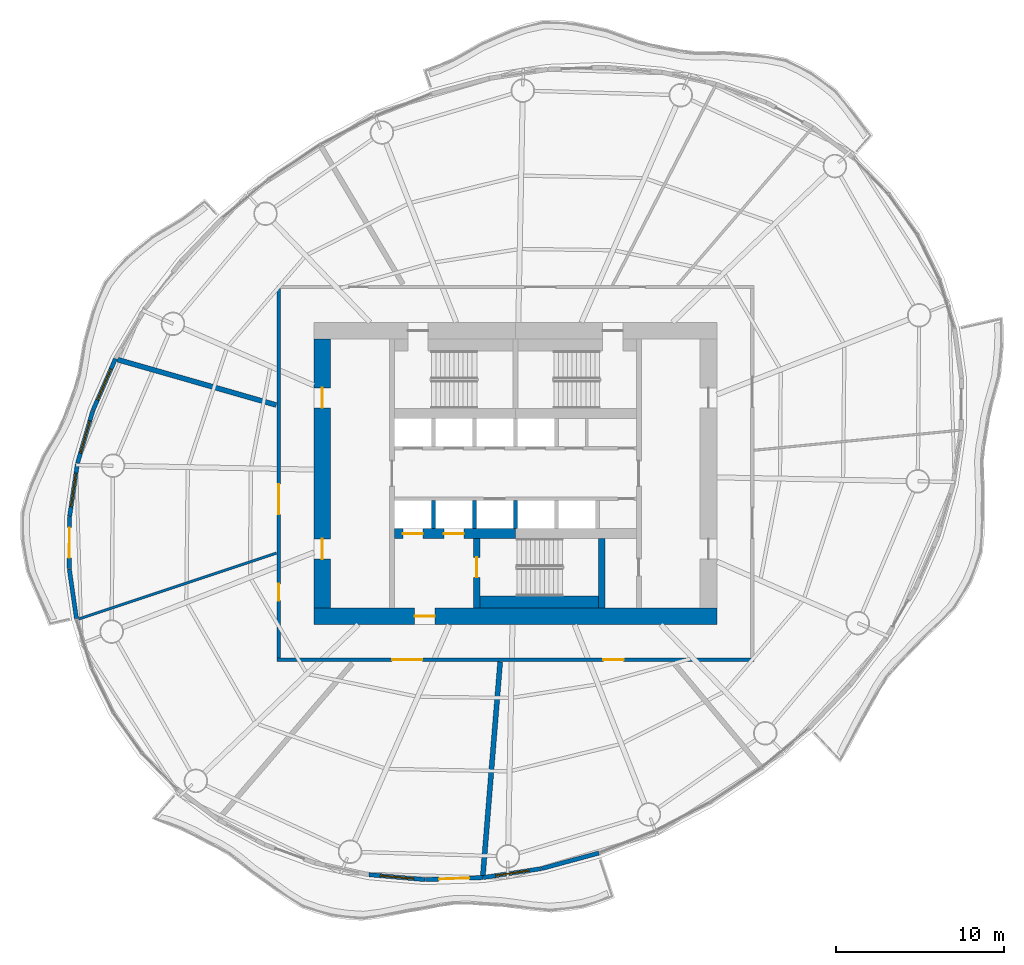
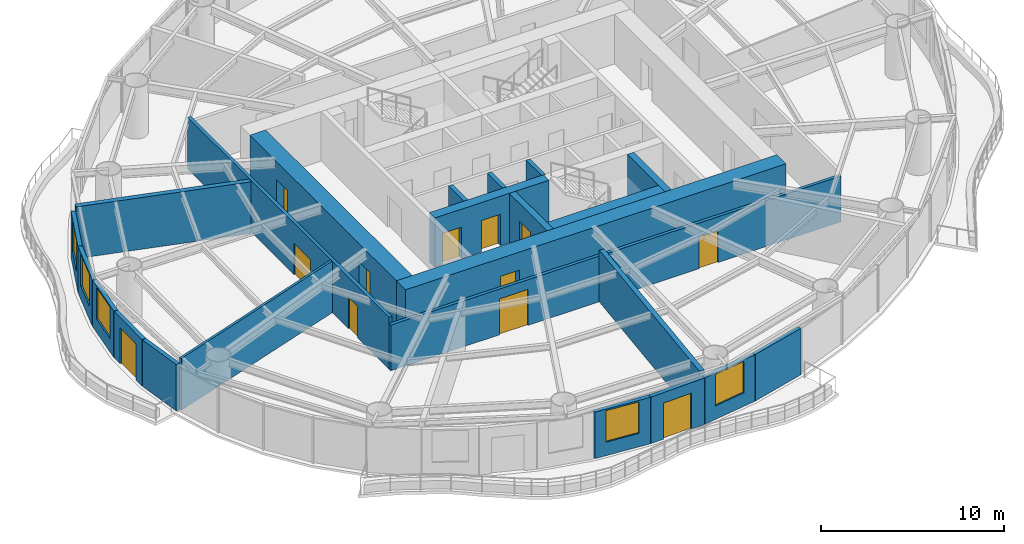
# One storey, part 8 of 14: 23 walls, 12 doors, 5 windows, 17 openings.
"""IFC4 building model written with IfcOpenShell, lengths in metres."""

from ifc_helpers import new_model, si_unit, direction, frame, frame_2d, origin, place, context, subcontext, project, spatial, rectangle, extrude, material, layer, layer_set, type_object, element, fill, save


model = new_model("IFC4")

# Units and contexts
model_context = context("Model", 3, precision=1e-05, world=origin(), true_north=direction((0.0, 1.0)))
body_context = subcontext(model_context, "Body", "Model", "MODEL_VIEW")
ifc_project = project(units=[si_unit("LENGTHUNIT", "METRE"), si_unit("AREAUNIT", "SQUARE_METRE"), si_unit("VOLUMEUNIT", "CUBIC_METRE"), si_unit("PLANEANGLEUNIT", "RADIAN"), si_unit("MASSUNIT", "GRAM", prefix="KILO")], contexts=[model_context])

# Site, building, storey
site_placement = place(None, origin())
site = spatial("IfcSite", under=ifc_project, at=site_placement, CompositionType="ELEMENT")
building_placement = place(site_placement, origin())
building = spatial("IfcBuilding", under=site, at=building_placement, Name="Vermilion Reach Broadcast Tower", CompositionType="ELEMENT")
storey_placement = place(building_placement, frame((0.0, 0.0, 157.800048828125)))
storey = spatial("IfcBuildingStorey", under=building, at=storey_placement, Name="L37", CompositionType="ELEMENT", Elevation=157.800048828125)

# Wall, opening, door
ifc_material_1 = material(Name="Concrete C70", Category="concrete")
ifc_layer_1 = layer(ifc_material_1, 0.39990234375)
ifc_layer_set_1 = layer_set([ifc_layer_1], Name="Core inner wall 400 mm Concrete C70")
wall_type_1 = type_object("IfcWallType", Name="Core inner wall 400 mm Concrete C70", PredefinedType="SHEAR", material=ifc_layer_set_1)
wall_1_placement = place(storey_placement, frame((-8.300048828125, -3.8798828125, 0.0), z_axis=(0.0, 0.0, 1.0), x_axis=(0.0, -1.0, 0.0)))
wall_1 = element("IfcWall", 1, at=wall_1_placement, inside=storey, type_object=wall_type_1, Name="L37 core wall wa", PredefinedType="SHEAR", context=body_context, shape_type="SweptSolid", body=[
    extrude(rectangle(XDim=4.1201171875, YDim=0.39990234375, at=frame_2d((2.06005859375, 0.0))), origin(), (0.0, 0.0, 1.0), 3.300048828125),
])
opening_1_placement = place(wall_1_placement, frame((1.110107421875, 0.0, 0.0)))
opening_1 = element("IfcOpeningElement", 2, at=opening_1_placement, cuts=wall_1, Name="Opening D01", PredefinedType="OPENING", context=body_context, shape_type="SweptSolid", body=[
    extrude(rectangle(XDim=1.199951171875, YDim=2.10009765625, at=frame_2d((0.60009765625, 1.050048828125))), frame((0.0, 0.2099609375, 0.0), z_axis=(0.0, -1.0, 0.0), x_axis=(1.0, 0.0, 0.0)), (0.0, 0.0, 1.0), 0.419921875),
])
ifc_material_2 = material(Name="Painted steel fire door", Category="steel")
door_type_1 = type_object("IfcDoorType", Name="Stair door 1200 x 2100", OperationType="DOUBLE_DOOR_SINGLE_SWING", PredefinedType="NOTDEFINED", material=ifc_material_2)
door_1_placement = place(opening_1_placement, origin())
door_1 = element("IfcDoor", 3, at=door_1_placement, inside=storey, type_object=door_type_1, Name="L37 stair door ST3", OperationType="DOUBLE_DOOR_SINGLE_SWING", OverallHeight=2.10009765625, OverallWidth=1.199951171875, PredefinedType="NOTDEFINED", context=body_context, shape_type="SweptSolid", body=[
    extrude(rectangle(XDim=1.199951171875, YDim=2.10009765625, at=frame_2d((0.60009765625, 1.050048828125))), frame((0.0, 0.02490234375, 0.0), z_axis=(0.0, -1.0, 0.0), x_axis=(1.0, 0.0, 0.0)), (0.0, 0.0, 1.0), 0.050048828125),
])
fill(opening_1, door_1)

# Wall
wall_2_placement = place(storey_placement, frame((-0.85009765625, -3.8798828125, 0.0), z_axis=(0.0, 0.0, 1.0), x_axis=(0.0, -1.0, 0.0)))
element("IfcWall", 4, at=wall_2_placement, inside=storey, type_object=wall_type_1, Name="L37 core wall wb", PredefinedType="SHEAR", context=body_context, shape_type="SweptSolid", body=[
    extrude(rectangle(XDim=4.1201171875, YDim=0.39990234375, at=frame_2d((2.06005859375, 0.0))), origin(), (0.0, 0.0, 1.0), 3.300048828125),
])

# Wall, openings, doors
ifc_material_3 = material(Name="Concrete C70", Category="concrete")
ifc_layer_2 = layer(ifc_material_3, 0.60009765625)
ifc_layer_set_2 = layer_set([ifc_layer_2], Name="Core inner wall 600 mm Concrete C70")
wall_type_2 = type_object("IfcWallType", Name="Core inner wall 600 mm Concrete C70", PredefinedType="SHEAR", material=ifc_layer_set_2)
wall_3_placement = place(storey_placement, frame((-13.199951171875, -3.580078125, 0.0), z_axis=(0.0, 0.0, 1.0), x_axis=(1.0, 0.0, 0.0)))
wall_3 = element("IfcWall", 5, at=wall_3_placement, inside=storey, type_object=wall_type_2, Name="L37 core wall wisW", PredefinedType="SHEAR", context=body_context, shape_type="SweptSolid", body=[
    extrude(rectangle(XDim=7.199951171875, YDim=0.60009765625, at=frame_2d((3.60009765625, 0.0))), origin(), (0.0, 0.0, 1.0), 3.300048828125),
])
opening_2_placement = place(wall_3_placement, frame((0.495849609375, 0.0, 0.0)))
opening_2 = element("IfcOpeningElement", 6, at=opening_2_placement, cuts=wall_3, Name="Opening LD1", PredefinedType="OPENING", context=body_context, shape_type="SweptSolid", body=[
    extrude(rectangle(XDim=1.199951171875, YDim=2.10009765625, at=frame_2d((0.60009765625, 1.050048828125))), frame((0.0, 0.31005859375, 0.0), z_axis=(0.0, -1.0, 0.0), x_axis=(1.0, 0.0, 0.0)), (0.0, 0.0, 1.0), 0.6201171875),
])
opening_3_placement = place(wall_3_placement, frame((2.9375, 0.0, 0.0)))
opening_3 = element("IfcOpeningElement", 7, at=opening_3_placement, cuts=wall_3, Name="Opening LD1", PredefinedType="OPENING", context=body_context, shape_type="SweptSolid", body=[
    extrude(rectangle(XDim=1.199951171875, YDim=2.10009765625, at=frame_2d((0.60009765625, 1.050048828125))), frame((0.0, 0.31005859375, 0.0), z_axis=(0.0, -1.0, 0.0), x_axis=(1.0, 0.0, 0.0)), (0.0, 0.0, 1.0), 0.6201171875),
])
ifc_material_4 = material(Name="Stainless steel", Category="steel")
door_type_2 = type_object("IfcDoorType", Name="Landing door 1200 x 2100", OperationType="DOUBLE_DOOR_SLIDING", PredefinedType="NOTDEFINED", material=ifc_material_4)
door_2_placement = place(opening_2_placement, origin())
door_2 = element("IfcDoor", 8, at=door_2_placement, inside=storey, type_object=door_type_2, Name="L37 landing door FF1", OperationType="DOUBLE_DOOR_SLIDING", OverallHeight=2.10009765625, OverallWidth=1.199951171875, PredefinedType="NOTDEFINED", context=body_context, shape_type="SweptSolid", body=[
    extrude(rectangle(XDim=1.199951171875, YDim=2.10009765625, at=frame_2d((0.60009765625, 1.050048828125))), frame((0.0, 0.02490234375, 0.0), z_axis=(0.0, -1.0, 0.0), x_axis=(1.0, 0.0, 0.0)), (0.0, 0.0, 1.0), 0.050048828125),
])
fill(opening_2, door_2)
door_3_placement = place(opening_3_placement, origin())
door_3 = element("IfcDoor", 9, at=door_3_placement, inside=storey, type_object=door_type_2, Name="L37 landing door FF2", OperationType="DOUBLE_DOOR_SLIDING", OverallHeight=2.10009765625, OverallWidth=1.199951171875, PredefinedType="NOTDEFINED", context=body_context, shape_type="SweptSolid", body=[
    extrude(rectangle(XDim=1.199951171875, YDim=2.10009765625, at=frame_2d((0.60009765625, 1.050048828125))), frame((0.0, 0.02490234375, 0.0), z_axis=(0.0, -1.0, 0.0), x_axis=(1.0, 0.0, 0.0)), (0.0, 0.0, 1.0), 0.050048828125),
])
fill(opening_3, door_3)

# Wall, opening, door
ifc_material_5 = material(Name="Concrete C70", Category="concrete")
ifc_layer_3 = layer(ifc_material_5, 1.0)
ifc_layer_set_3 = layer_set([ifc_layer_3], Name="Core outer wall 1000 mm Concrete C70")
wall_type_3 = type_object("IfcWallType", Name="Core outer wall 1000 mm Concrete C70", PredefinedType="SHEAR", material=ifc_layer_set_3)
wall_4_placement = place(storey_placement, frame((-18.0, -8.5, 0.0), z_axis=(0.0, 0.0, 1.0), x_axis=(1.0, 0.0, 0.0)))
wall_4 = element("IfcWall", 10, at=wall_4_placement, inside=storey, type_object=wall_type_3, Name="L37 core wall os", PredefinedType="SHEAR", context=body_context, shape_type="SweptSolid", body=[
    extrude(rectangle(XDim=24.0, YDim=1.0, at=frame_2d((12.0, 0.0))), origin(), (0.0, 0.0, 1.0), 3.300048828125),
])
opening_4_placement = place(wall_4_placement, frame((6.0, 0.0, 0.0)))
opening_4 = element("IfcOpeningElement", 11, at=opening_4_placement, cuts=wall_4, Name="Opening D02", PredefinedType="OPENING", context=body_context, shape_type="SweptSolid", body=[
    extrude(rectangle(XDim=1.199951171875, YDim=2.10009765625, at=frame_2d((0.60009765625, 1.050048828125))), frame((0.0, 0.510009765625, 0.0), z_axis=(0.0, -1.0, 0.0), x_axis=(1.0, 0.0, 0.0)), (0.0, 0.0, 1.0), 1.02001953125),
])
ifc_material_6 = material(Name="Painted steel fire door", Category="steel")
door_type_3 = type_object("IfcDoorType", Name="Firefighting lobby door 1200 x 2100", OperationType="DOUBLE_DOOR_SINGLE_SWING", PredefinedType="NOTDEFINED", material=ifc_material_6)
door_4_placement = place(opening_4_placement, origin())
door_4 = element("IfcDoor", 12, at=door_4_placement, inside=storey, type_object=door_type_3, Name="L37 ffdoor door FFL", OperationType="DOUBLE_DOOR_SINGLE_SWING", OverallHeight=2.10009765625, OverallWidth=1.199951171875, PredefinedType="NOTDEFINED", context=body_context, shape_type="SweptSolid", body=[
    extrude(rectangle(XDim=1.199951171875, YDim=2.10009765625, at=frame_2d((0.60009765625, 1.050048828125))), frame((0.0, 0.02490234375, 0.0), z_axis=(0.0, -1.0, 0.0), x_axis=(1.0, 0.0, 0.0)), (0.0, 0.0, 1.0), 0.050048828125),
])
fill(opening_4, door_4)

# Wall, openings, doors
wall_5_placement = place(storey_placement, frame((-17.5, 8.0, 0.0), z_axis=(0.0, 0.0, 1.0), x_axis=(0.0, -1.0, 0.0)))
wall_5 = element("IfcWall", 13, at=wall_5_placement, inside=storey, type_object=wall_type_3, Name="L37 core wall ow", PredefinedType="SHEAR", context=body_context, shape_type="SweptSolid", body=[
    extrude(rectangle(XDim=16.0, YDim=1.0, at=frame_2d((8.0, 0.0))), origin(), (0.0, 0.0, 1.0), 3.300048828125),
])
opening_5_placement = place(wall_5_placement, frame((11.89990234375, 0.0, 0.0)))
opening_5 = element("IfcOpeningElement", 14, at=opening_5_placement, cuts=wall_5, Name="Opening D03", PredefinedType="OPENING", context=body_context, shape_type="SweptSolid", body=[
    extrude(rectangle(XDim=1.199951171875, YDim=2.10009765625, at=frame_2d((0.60009765625, 1.050048828125))), frame((0.0, 0.510009765625, 0.0), z_axis=(0.0, -1.0, 0.0), x_axis=(1.0, 0.0, 0.0)), (0.0, 0.0, 1.0), 1.02001953125),
])
opening_6_placement = place(wall_5_placement, frame((2.89990234375, 0.0, 0.0)))
opening_6 = element("IfcOpeningElement", 15, at=opening_6_placement, cuts=wall_5, Name="Opening D03", PredefinedType="OPENING", context=body_context, shape_type="SweptSolid", body=[
    extrude(rectangle(XDim=1.199951171875, YDim=2.10009765625, at=frame_2d((0.60009765625, 1.050048828125))), frame((0.0, 0.510009765625, 0.0), z_axis=(0.0, -1.0, 0.0), x_axis=(1.0, 0.0, 0.0)), (0.0, 0.0, 1.0), 1.02001953125),
])
ifc_material_7 = material(Name="Painted steel fire door", Category="steel")
door_type_4 = type_object("IfcDoorType", Name="Core lobby door 1200 x 2100", OperationType="DOUBLE_DOOR_SINGLE_SWING", PredefinedType="NOTDEFINED", material=ifc_material_7)
door_5_placement = place(opening_5_placement, origin())
door_5 = element("IfcDoor", 16, at=door_5_placement, inside=storey, type_object=door_type_4, Name="L37 slot door W0", OperationType="DOUBLE_DOOR_SINGLE_SWING", OverallHeight=2.10009765625, OverallWidth=1.199951171875, PredefinedType="NOTDEFINED", context=body_context, shape_type="SweptSolid", body=[
    extrude(rectangle(XDim=1.199951171875, YDim=2.10009765625, at=frame_2d((0.60009765625, 1.050048828125))), frame((0.0, 0.02490234375, 0.0), z_axis=(0.0, -1.0, 0.0), x_axis=(1.0, 0.0, 0.0)), (0.0, 0.0, 1.0), 0.050048828125),
])
fill(opening_5, door_5)
door_6_placement = place(opening_6_placement, origin())
door_6 = element("IfcDoor", 17, at=door_6_placement, inside=storey, type_object=door_type_4, Name="L37 slot door W1", OperationType="DOUBLE_DOOR_SINGLE_SWING", OverallHeight=2.10009765625, OverallWidth=1.199951171875, PredefinedType="NOTDEFINED", context=body_context, shape_type="SweptSolid", body=[
    extrude(rectangle(XDim=1.199951171875, YDim=2.10009765625, at=frame_2d((0.60009765625, 1.050048828125))), frame((0.0, 0.02490234375, 0.0), z_axis=(0.0, -1.0, 0.0), x_axis=(1.0, 0.0, 0.0)), (0.0, 0.0, 1.0), 0.050048828125),
])
fill(opening_6, door_6)

# Walls
ifc_material_8 = material(Name="Concrete C50", Category="concrete")
ifc_layer_4 = layer(ifc_material_8, 0.25)
ifc_layer_set_4 = layer_set([ifc_layer_4], Name="Core shaft wall 250 mm Concrete C50")
wall_type_4 = type_object("IfcWallType", Name="Core shaft wall 250 mm Concrete C50", PredefinedType="SHEAR", material=ifc_layer_set_4)
for number, where, z_axis, x_axis, name in (
    (18, (-10.88330078125, -1.60009765625, 0.0), (0.0, 0.0, 1.0), (0.0, -1.0, 0.0), "L37 core wall psS0"),
    (19, (-8.441650390625, -1.60009765625, 0.0), (0.0, 0.0, 1.0), (0.0, -1.0, 0.0), "L37 core wall psS1"),
    (20, (-6.0, -1.60009765625, 0.0), (0.0, 0.0, 1.0), (0.0, -1.0, 0.0), "L37 core wall psS2"),
):
    element("IfcWall", number, at=place(storey_placement, frame(where, z_axis=z_axis, x_axis=x_axis)), inside=storey, type_object=wall_type_4, Name=name, PredefinedType="SHEAR", context=body_context, shape_type="SweptSolid", body=[
        extrude(rectangle(XDim=1.679931640625, YDim=0.25, at=frame_2d((0.83984375, 0.0))), origin(), (0.0, 0.0, 1.0), 3.300048828125),
    ])
ifc_material_9 = material(Name="Concrete C70", Category="concrete")
ifc_layer_5 = layer(ifc_material_9, 0.699951171875)
ifc_layer_set_5 = layer_set([ifc_layer_5], Name="Core stair wall 700 mm Concrete C70")
wall_type_5 = type_object("IfcWallType", Name="Core stair wall 700 mm Concrete C70", PredefinedType="SHEAR", material=ifc_layer_set_5)
wall_6_placement = place(storey_placement, frame((-8.10009765625, -7.64990234375, 0.0), z_axis=(0.0, 0.0, 1.0), x_axis=(1.0, 0.0, 0.0)))
element("IfcWall", 21, at=wall_6_placement, inside=storey, type_object=wall_type_5, Name="L37 core wall l3", PredefinedType="SHEAR", context=body_context, shape_type="SweptSolid", body=[
    extrude(rectangle(XDim=7.050048828125, YDim=0.699951171875, at=frame_2d((3.52490234375, 0.0))), origin(), (0.0, 0.0, 1.0), 3.300048828125),
])

# Wall, openings, doors
ifc_material_10 = material(Name="Fire-rated gypsum board partition")
ifc_layer_6 = layer(ifc_material_10, 0.199951171875)
ifc_layer_set_6 = layer_set([ifc_layer_6], Name="Corridor wall 200 fire-rated")
wall_type_6 = type_object("IfcWallType", Name="Corridor wall 200 fire-rated", PredefinedType="PARTITIONING", material=ifc_layer_set_6)
wall_7_placement = place(storey_placement, frame((-20.10009765625, -11.0, 0.0), z_axis=(0.0, 0.0, 1.0), x_axis=(0.0, 1.0, 0.0)))
wall_7 = element("IfcWall", 22, at=wall_7_placement, inside=storey, type_object=wall_type_6, Name="Corridor wall 37.W", PredefinedType="PARTITIONING", context=body_context, shape_type="SweptSolid", body=[
    extrude(rectangle(XDim=22.0, YDim=0.199951171875, at=frame_2d((11.0, 0.0))), origin(), (0.0, 0.0, 1.0), 3.449951171875),
])
opening_7_placement = place(wall_7_placement, frame((8.568115234375, 0.0, 0.0)))
opening_7 = element("IfcOpeningElement", 23, at=opening_7_placement, cuts=wall_7, Name="Opening D21", PredefinedType="OPENING", context=body_context, shape_type="SweptSolid", body=[
    extrude(rectangle(XDim=1.800048828125, YDim=2.10009765625, at=frame_2d((0.89990234375, 1.050048828125))), frame((0.0, 0.10986328125, 0.0), z_axis=(0.0, -1.0, 0.0), x_axis=(1.0, 0.0, 0.0)), (0.0, 0.0, 1.0), 0.219970703125),
])
opening_8_placement = place(wall_7_placement, frame((3.4287109375, 0.0, 0.0)))
opening_8 = element("IfcOpeningElement", 24, at=opening_8_placement, cuts=wall_7, Name="Opening D20", PredefinedType="OPENING", context=body_context, shape_type="SweptSolid", body=[
    extrude(rectangle(XDim=1.0, YDim=2.10009765625, at=frame_2d((0.5, 1.050048828125))), frame((0.0, 0.10986328125, 0.0), z_axis=(0.0, -1.0, 0.0), x_axis=(1.0, 0.0, 0.0)), (0.0, 0.0, 1.0), 0.219970703125),
])
ifc_material_11 = material(Name="Timber door leaf", Category="wood")
door_type_5 = type_object("IfcDoorType", Name="Door pair 1800x2100", OperationType="NOTDEFINED", PredefinedType="DOOR", material=ifc_material_11)
door_7_placement = place(opening_7_placement, origin())
door_7 = element("IfcDoor", 25, at=door_7_placement, inside=storey, type_object=door_type_5, Name="Door 37.04", OperationType="DOUBLE_DOOR_SINGLE_SWING", OverallHeight=2.10009765625, OverallWidth=1.800048828125, PredefinedType="DOOR", context=body_context, shape_type="SweptSolid", body=[
    extrude(rectangle(XDim=1.800048828125, YDim=2.10009765625, at=frame_2d((0.89990234375, 1.050048828125))), frame((0.0, 0.02490234375, 0.0), z_axis=(0.0, -1.0, 0.0), x_axis=(1.0, 0.0, 0.0)), (0.0, 0.0, 1.0), 0.050048828125),
])
fill(opening_7, door_7)
ifc_material_12 = material(Name="Timber door leaf", Category="wood")
door_type_6 = type_object("IfcDoorType", Name="Door single 1000x2100", OperationType="NOTDEFINED", PredefinedType="DOOR", material=ifc_material_12)
door_8_placement = place(opening_8_placement, origin())
door_8 = element("IfcDoor", 26, at=door_8_placement, inside=storey, type_object=door_type_6, Name="Door 37.05", OperationType="SINGLE_SWING_RIGHT", OverallHeight=2.10009765625, OverallWidth=1.0, PredefinedType="DOOR", context=body_context, shape_type="SweptSolid", body=[
    extrude(rectangle(XDim=1.0, YDim=2.10009765625, at=frame_2d((0.5, 1.050048828125))), frame((0.0, 0.02490234375, 0.0), z_axis=(0.0, -1.0, 0.0), x_axis=(1.0, 0.0, 0.0)), (0.0, 0.0, 1.0), 0.050048828125),
])
fill(opening_8, door_8)

# Walls
ifc_material_13 = material(Name="Lightweight concrete block, plastered", Category="concrete")
ifc_layer_7 = layer(ifc_material_13, 0.14990234375)
ifc_layer_set_7 = layer_set([ifc_layer_7], Name="Partition 150 lightweight block")
wall_type_7 = type_object("IfcWallType", Name="Partition 150 lightweight block", PredefinedType="PARTITIONING", material=ifc_layer_set_7)
wall_8_placement = place(storey_placement, frame((-32.004638671875, -8.6630859375, 0.0), z_axis=(0.0, 0.0, 1.0), x_axis=(0.948742264592, 0.316050811384, 0.0)))
element("IfcWall", 27, at=wall_8_placement, inside=storey, type_object=wall_type_7, Name="Partition 37.05", PredefinedType="PARTITIONING", context=body_context, shape_type="SweptSolid", body=[
    extrude(rectangle(XDim=12.41748046875, YDim=0.14990234375, at=frame_2d((6.208740234375, 0.0))), origin(), (0.0, 0.0, 1.0), 3.449951171875),
])
ifc_material_14 = material(Name="Double-leaf plasterboard on isolated steel stud", Category="steel")
ifc_layer_8 = layer(ifc_material_14, 0.300048828125)
ifc_layer_set_8 = layer_set([ifc_layer_8], Name="Partition 300 acoustic double leaf")
wall_type_8 = type_object("IfcWallType", Name="Partition 300 acoustic double leaf", PredefinedType="PARTITIONING", material=ifc_layer_set_8)
wall_9_placement = place(storey_placement, frame((-29.697265625, 6.783203125, 0.0), z_axis=(0.0, 0.0, 1.0), x_axis=(0.961388014147, -0.275196450295, 0.0)))
element("IfcWall", 28, at=wall_9_placement, inside=storey, type_object=wall_type_8, Name="Partition 37.04", PredefinedType="PARTITIONING", context=body_context, shape_type="SweptSolid", body=[
    extrude(rectangle(XDim=9.8359375, YDim=0.300048828125, at=frame_2d((4.91796875, 0.0))), origin(), (0.0, 0.0, 1.0), 3.449951171875),
])
wall_10_placement = place(storey_placement, frame((-7.934326171875, -23.935546875, 0.0), z_axis=(0.0, 0.0, 1.0), x_axis=(0.080539579648, 0.996751411391, 0.0)))
element("IfcWall", 29, at=wall_10_placement, inside=storey, type_object=wall_type_8, Name="Partition 37.07", PredefinedType="PARTITIONING", context=body_context, shape_type="SweptSolid", body=[
    extrude(rectangle(XDim=12.764892578125, YDim=0.300048828125, at=frame_2d((6.38232421875, 0.0))), origin(), (0.0, 0.0, 1.0), 3.449951171875),
])

# Wall, opening, window
ifc_material_15 = material(Name="Terracotta rainscreen cladding", Category="masonry")
ifc_layer_9 = layer(ifc_material_15, 0.25)
ifc_layer_set_9 = layer_set([ifc_layer_9], Name="Terracotta rainscreen wall 250")
wall_type_9 = type_object("IfcWallType", Name="Terracotta rainscreen wall 250", PredefinedType="SOLIDWALL", material=ifc_layer_set_9)
wall_11_placement = place(storey_placement, frame((-29.813232421875, 6.82958984375, 0.0), z_axis=(0.0, 0.0, 1.0), x_axis=(-0.399984559648, -0.916521877559, 0.0)))
wall_11 = element("IfcWall", 30, at=wall_11_placement, inside=storey, type_object=wall_type_9, Name="External wall L37 17", PredefinedType="SOLIDWALL", context=body_context, shape_type="SweptSolid", body=[
    extrude(rectangle(XDim=3.347412109375, YDim=0.25, at=frame_2d((1.673828125, 0.0))), origin(), (0.0, 0.0, 1.0), 3.099853515625),
])
opening_9_placement = place(wall_11_placement, frame((0.673583984375, 0.0, 0.89990234375)))
opening_9 = element("IfcOpeningElement", 31, at=opening_9_placement, cuts=wall_11, Name="Opening W03", PredefinedType="OPENING", context=body_context, shape_type="SweptSolid", body=[
    extrude(rectangle(XDim=2.0, YDim=2.10009765625, at=frame_2d((1.0, 1.050048828125))), frame((0.0, 0.135009765625, 0.0), z_axis=(0.0, -1.0, 0.0), x_axis=(1.0, 0.0, 0.0)), (0.0, 0.0, 1.0), 0.27001953125),
])
ifc_material_16 = material(Name="Low-e laminated clear glass in aluminium frame", Category="aluminium")
window_type = type_object("IfcWindowType", Name="Punched window 2000 x 2100 sill 900", PartitioningType="SINGLE_PANEL", PredefinedType="WINDOW", material=ifc_material_16)
window_1_placement = place(opening_9_placement, origin())
window_1 = element("IfcWindow", 32, at=window_1_placement, inside=storey, type_object=window_type, Name="Window L37 17", OverallHeight=2.10009765625, OverallWidth=2.0, PartitioningType="SINGLE_PANEL", PredefinedType="WINDOW", context=body_context, shape_type="SweptSolid", body=[
    extrude(rectangle(XDim=2.0, YDim=2.10009765625, at=frame_2d((1.0, 1.050048828125))), frame((0.0, 0.030029296875, 0.0), z_axis=(0.0, -1.0, 0.0), x_axis=(1.0, 0.0, 0.0)), (0.0, 0.0, 1.0), 0.06005859375),
])
fill(opening_9, window_1)

wall_12_placement = place(storey_placement, frame((-31.16015625, 3.7392578125, 0.0), z_axis=(0.0, 0.0, 1.0), x_axis=(-0.279349638575, -0.960189449759, 0.0)))
wall_12 = element("IfcWall", 33, at=wall_12_placement, inside=storey, type_object=wall_type_9, Name="External wall L37 18", PredefinedType="SOLIDWALL", context=body_context, shape_type="SweptSolid", body=[
    extrude(rectangle(XDim=3.258056640625, YDim=0.25, at=frame_2d((1.62890625, 0.0))), origin(), (0.0, 0.0, 1.0), 3.099853515625),
])
opening_10_placement = place(wall_12_placement, frame((0.629150390625, 0.0, 0.89990234375)))
opening_10 = element("IfcOpeningElement", 34, at=opening_10_placement, cuts=wall_12, Name="Opening W03", PredefinedType="OPENING", context=body_context, shape_type="SweptSolid", body=[
    extrude(rectangle(XDim=2.0, YDim=2.10009765625, at=frame_2d((1.0, 1.050048828125))), frame((0.0, 0.135009765625, 0.0), z_axis=(0.0, -1.0, 0.0), x_axis=(1.0, 0.0, 0.0)), (0.0, 0.0, 1.0), 0.27001953125),
])
window_2_placement = place(opening_10_placement, origin())
window_2 = element("IfcWindow", 35, at=window_2_placement, inside=storey, type_object=window_type, Name="Window L37 18", OverallHeight=2.10009765625, OverallWidth=2.0, PartitioningType="SINGLE_PANEL", PredefinedType="WINDOW", context=body_context, shape_type="SweptSolid", body=[
    extrude(rectangle(XDim=2.0, YDim=2.10009765625, at=frame_2d((1.0, 1.050048828125))), frame((0.0, 0.030029296875, 0.0), z_axis=(0.0, -1.0, 0.0), x_axis=(1.0, 0.0, 0.0)), (0.0, 0.0, 1.0), 0.06005859375),
])
fill(opening_10, window_2)

wall_13_placement = place(storey_placement, frame((-32.07568359375, 0.58642578125, 0.0), z_axis=(0.0, 0.0, 1.0), x_axis=(-0.147361008263, -0.989082773707, 0.0)))
wall_13 = element("IfcWall", 36, at=wall_13_placement, inside=storey, type_object=wall_type_9, Name="External wall L37 19", PredefinedType="SOLIDWALL", context=body_context, shape_type="SweptSolid", body=[
    extrude(rectangle(XDim=3.16943359375, YDim=0.25, at=frame_2d((1.584716796875, 0.0))), origin(), (0.0, 0.0, 1.0), 3.099853515625),
])
opening_11_placement = place(wall_13_placement, frame((0.584716796875, 0.0, 0.89990234375)))
opening_11 = element("IfcOpeningElement", 37, at=opening_11_placement, cuts=wall_13, Name="Opening W03", PredefinedType="OPENING", context=body_context, shape_type="SweptSolid", body=[
    extrude(rectangle(XDim=2.0, YDim=2.10009765625, at=frame_2d((1.0, 1.050048828125))), frame((0.0, 0.135009765625, 0.0), z_axis=(0.0, -1.0, 0.0), x_axis=(1.0, 0.0, 0.0)), (0.0, 0.0, 1.0), 0.27001953125),
])
window_3_placement = place(opening_11_placement, origin())
window_3 = element("IfcWindow", 38, at=window_3_placement, inside=storey, type_object=window_type, Name="Window L37 19", OverallHeight=2.10009765625, OverallWidth=2.0, PartitioningType="SINGLE_PANEL", PredefinedType="WINDOW", context=body_context, shape_type="SweptSolid", body=[
    extrude(rectangle(XDim=2.0, YDim=2.10009765625, at=frame_2d((1.0, 1.050048828125))), frame((0.0, 0.030029296875, 0.0), z_axis=(0.0, -1.0, 0.0), x_axis=(1.0, 0.0, 0.0)), (0.0, 0.0, 1.0), 0.06005859375),
])
fill(opening_11, window_3)

# Wall, opening, door
wall_14_placement = place(storey_placement, frame((-32.544921875, -2.573974609375, 0.0), z_axis=(0.0, 0.0, 1.0), x_axis=(-0.005534387094, -0.999984685162, 0.0)))
wall_14 = element("IfcWall", 39, at=wall_14_placement, inside=storey, type_object=wall_type_9, Name="External wall L37 20", PredefinedType="SOLIDWALL", context=body_context, shape_type="SweptSolid", body=[
    extrude(rectangle(XDim=3.087890625, YDim=0.25, at=frame_2d((1.5439453125, 0.0))), origin(), (0.0, 0.0, 1.0), 3.099853515625),
])
opening_12_placement = place(wall_14_placement, frame((0.64404296875, 0.0, 0.0)))
opening_12 = element("IfcOpeningElement", 40, at=opening_12_placement, cuts=wall_14, Name="Opening D70", PredefinedType="OPENING", context=body_context, shape_type="SweptSolid", body=[
    extrude(rectangle(XDim=1.800048828125, YDim=2.39990234375, at=frame_2d((0.89990234375, 1.199951171875))), frame((0.0, 0.135009765625, 0.0), z_axis=(0.0, -1.0, 0.0), x_axis=(1.0, 0.0, 0.0)), (0.0, 0.0, 1.0), 0.27001953125),
])
ifc_material_17 = material(Name="Low-e laminated clear glass in aluminium frame", Category="aluminium")
door_type_7 = type_object("IfcDoorType", Name="Balcony sliding door 1800 x 2400", OperationType="DOUBLE_DOOR_SLIDING", PredefinedType="DOOR", material=ifc_material_17)
door_9_placement = place(opening_12_placement, origin())
door_9 = element("IfcDoor", 41, at=door_9_placement, inside=storey, type_object=door_type_7, Name="Balcony door L37 run 05", OperationType="DOUBLE_DOOR_SLIDING", OverallHeight=2.39990234375, OverallWidth=1.800048828125, PredefinedType="DOOR", context=body_context, shape_type="SweptSolid", body=[
    extrude(rectangle(XDim=1.800048828125, YDim=2.39990234375, at=frame_2d((0.89990234375, 1.199951171875))), frame((0.0, 0.02490234375, 0.0), z_axis=(0.0, -1.0, 0.0), x_axis=(1.0, 0.0, 0.0)), (0.0, 0.0, 1.0), 0.050048828125),
])
fill(opening_12, door_9)

# Wall
wall_15_placement = place(storey_placement, frame((-32.560302734375, -5.6884765625, 0.0), z_axis=(0.0, 0.0, 1.0), x_axis=(0.142970577469, -0.989726939099, 0.0)))
element("IfcWall", 42, at=wall_15_placement, inside=storey, type_object=wall_type_9, Name="External wall L37 21", PredefinedType="SOLIDWALL", context=body_context, shape_type="SweptSolid", body=[
    extrude(rectangle(XDim=2.97802734375, YDim=0.25, at=frame_2d((1.489013671875, 0.0))), origin(), (0.0, 0.0, 1.0), 3.099853515625),
])

# Wall, opening, window
wall_16_placement = place(storey_placement, frame((-14.720703125, -23.889892578125, 0.0), z_axis=(0.0, 0.0, 1.0), x_axis=(0.996225793942, -0.086799582281, 0.0)))
wall_16 = element("IfcWall", 43, at=wall_16_placement, inside=storey, type_object=wall_type_9, Name="External wall L37 30", PredefinedType="SOLIDWALL", context=body_context, shape_type="SweptSolid", body=[
    extrude(rectangle(XDim=3.34716796875, YDim=0.25, at=frame_2d((1.673583984375, 0.0))), origin(), (0.0, 0.0, 1.0), 3.099853515625),
])
opening_13_placement = place(wall_16_placement, frame((0.673583984375, 0.0, 0.89990234375)))
opening_13 = element("IfcOpeningElement", 44, at=opening_13_placement, cuts=wall_16, Name="Opening W03", PredefinedType="OPENING", context=body_context, shape_type="SweptSolid", body=[
    extrude(rectangle(XDim=2.0, YDim=2.10009765625, at=frame_2d((1.0, 1.050048828125))), frame((0.0, 0.135009765625, 0.0), z_axis=(0.0, -1.0, 0.0), x_axis=(1.0, 0.0, 0.0)), (0.0, 0.0, 1.0), 0.27001953125),
])
window_4_placement = place(opening_13_placement, origin())
window_4 = element("IfcWindow", 45, at=window_4_placement, inside=storey, type_object=window_type, Name="Window L37 30", OverallHeight=2.10009765625, OverallWidth=2.0, PartitioningType="SINGLE_PANEL", PredefinedType="WINDOW", context=body_context, shape_type="SweptSolid", body=[
    extrude(rectangle(XDim=2.0, YDim=2.10009765625, at=frame_2d((1.0, 1.050048828125))), frame((0.0, 0.030029296875, 0.0), z_axis=(0.0, -1.0, 0.0), x_axis=(1.0, 0.0, 0.0)), (0.0, 0.0, 1.0), 0.06005859375),
])
fill(opening_13, window_4)

# Wall, opening, door
wall_17_placement = place(storey_placement, frame((-11.36279296875, -24.18115234375, 0.0), z_axis=(0.0, 0.0, 1.0), x_axis=(0.9993794249, 0.035224495537, 0.0)))
wall_17 = element("IfcWall", 46, at=wall_17_placement, inside=storey, type_object=wall_type_9, Name="External wall L37 31", PredefinedType="SOLIDWALL", context=body_context, shape_type="SweptSolid", body=[
    extrude(rectangle(XDim=3.430908203125, YDim=0.25, at=frame_2d((1.71533203125, 0.0))), origin(), (0.0, 0.0, 1.0), 3.099853515625),
])
opening_14_placement = place(wall_17_placement, frame((0.81591796875, 0.0, 0.0)))
opening_14 = element("IfcOpeningElement", 47, at=opening_14_placement, cuts=wall_17, Name="Opening D70", PredefinedType="OPENING", context=body_context, shape_type="SweptSolid", body=[
    extrude(rectangle(XDim=1.800048828125, YDim=2.39990234375, at=frame_2d((0.89990234375, 1.199951171875))), frame((0.0, 0.135009765625, 0.0), z_axis=(0.0, -1.0, 0.0), x_axis=(1.0, 0.0, 0.0)), (0.0, 0.0, 1.0), 0.27001953125),
])
door_10_placement = place(opening_14_placement, origin())
door_10 = element("IfcDoor", 48, at=door_10_placement, inside=storey, type_object=door_type_7, Name="Balcony door L37 run 08", OperationType="DOUBLE_DOOR_SLIDING", OverallHeight=2.39990234375, OverallWidth=1.800048828125, PredefinedType="DOOR", context=body_context, shape_type="SweptSolid", body=[
    extrude(rectangle(XDim=1.800048828125, YDim=2.39990234375, at=frame_2d((0.89990234375, 1.199951171875))), frame((0.0, 0.02490234375, 0.0), z_axis=(0.0, -1.0, 0.0), x_axis=(1.0, 0.0, 0.0)), (0.0, 0.0, 1.0), 0.050048828125),
])
fill(opening_14, door_10)

# Wall, opening, window
wall_18_placement = place(storey_placement, frame((-7.911376953125, -24.05810546875, 0.0), z_axis=(0.0, 0.0, 1.0), x_axis=(0.98845290294, 0.151528408789, 0.0)))
wall_18 = element("IfcWall", 49, at=wall_18_placement, inside=storey, type_object=wall_type_9, Name="External wall L37 32", PredefinedType="SOLIDWALL", context=body_context, shape_type="SweptSolid", body=[
    extrude(rectangle(XDim=3.50439453125, YDim=0.25, at=frame_2d((1.752197265625, 0.0))), origin(), (0.0, 0.0, 1.0), 3.099853515625),
])
opening_15_placement = place(wall_18_placement, frame((0.752197265625, 0.0, 0.89990234375)))
opening_15 = element("IfcOpeningElement", 50, at=opening_15_placement, cuts=wall_18, Name="Opening W03", PredefinedType="OPENING", context=body_context, shape_type="SweptSolid", body=[
    extrude(rectangle(XDim=2.0, YDim=2.10009765625, at=frame_2d((1.0, 1.050048828125))), frame((0.0, 0.135009765625, 0.0), z_axis=(0.0, -1.0, 0.0), x_axis=(1.0, 0.0, 0.0)), (0.0, 0.0, 1.0), 0.27001953125),
])
window_5_placement = place(opening_15_placement, origin())
window_5 = element("IfcWindow", 51, at=window_5_placement, inside=storey, type_object=window_type, Name="Window L37 32", OverallHeight=2.10009765625, OverallWidth=2.0, PartitioningType="SINGLE_PANEL", PredefinedType="WINDOW", context=body_context, shape_type="SweptSolid", body=[
    extrude(rectangle(XDim=2.0, YDim=2.10009765625, at=frame_2d((1.0, 1.050048828125))), frame((0.0, 0.030029296875, 0.0), z_axis=(0.0, -1.0, 0.0), x_axis=(1.0, 0.0, 0.0)), (0.0, 0.0, 1.0), 0.06005859375),
])
fill(opening_15, window_5)

# Wall
wall_19_placement = place(storey_placement, frame((-4.426025390625, -23.5224609375, 0.0), z_axis=(0.0, 0.0, 1.0), x_axis=(0.965135872227, 0.261749399505, 0.0)))
element("IfcWall", 52, at=wall_19_placement, inside=storey, type_object=wall_type_9, Name="External wall L37 33", PredefinedType="SOLIDWALL", context=body_context, shape_type="SweptSolid", body=[
    extrude(rectangle(XDim=3.519287109375, YDim=0.25, at=frame_2d((1.759765625, 0.0))), origin(), (0.0, 0.0, 1.0), 3.099853515625),
])

# Wall, openings, doors
ifc_material_18 = material(Name="Fire-rated gypsum board partition")
ifc_layer_10 = layer(ifc_material_18, 0.199951171875)
ifc_layer_set_10 = layer_set([ifc_layer_10], Name="Under girder: Corridor wall 200 fire-rated")
wall_type_10 = type_object("IfcWallType", Name="Under girder: Corridor wall 200 fire-rated", PredefinedType="PARTITIONING", material=ifc_layer_set_10)
wall_20_placement = place(storey_placement, frame((8.199951171875, -11.10009765625, 0.0), z_axis=(0.0, 0.0, 1.0), x_axis=(-1.0, 0.0, 0.0)))
wall_20 = element("IfcWall", 53, at=wall_20_placement, inside=storey, type_object=wall_type_10, Name="Corridor wall 37.S", PredefinedType="PARTITIONING", context=body_context, shape_type="SweptSolid", body=[
    extrude(rectangle(XDim=28.39990234375, YDim=0.199951171875, at=frame_2d((14.199951171875, 0.0))), origin(), (0.0, 0.0, 1.0), 3.050048828125),
])
opening_16_placement = place(wall_20_placement, frame((19.7451171875, 0.0, 0.0)))
opening_16 = element("IfcOpeningElement", 54, at=opening_16_placement, cuts=wall_20, Name="Opening D27", PredefinedType="OPENING", context=body_context, shape_type="SweptSolid", body=[
    extrude(rectangle(XDim=1.800048828125, YDim=2.39990234375, at=frame_2d((0.89990234375, 1.199951171875))), frame((0.0, 0.10986328125, 0.0), z_axis=(0.0, -1.0, 0.0), x_axis=(1.0, 0.0, 0.0)), (0.0, 0.0, 1.0), 0.219970703125),
])
opening_17_placement = place(wall_20_placement, frame((7.755615234375, 0.0, 0.0)))
opening_17 = element("IfcOpeningElement", 55, at=opening_17_placement, cuts=wall_20, Name="Opening D26", PredefinedType="OPENING", context=body_context, shape_type="SweptSolid", body=[
    extrude(rectangle(XDim=1.199951171875, YDim=2.10009765625, at=frame_2d((0.60009765625, 1.050048828125))), frame((0.0, 0.10986328125, 0.0), z_axis=(0.0, -1.0, 0.0), x_axis=(1.0, 0.0, 0.0)), (0.0, 0.0, 1.0), 0.219970703125),
])
ifc_material_19 = material(Name="Acoustic timber door leaf", Category="wood")
door_type_8 = type_object("IfcDoorType", Name="Door pair 1800x2400", OperationType="NOTDEFINED", PredefinedType="DOOR", material=ifc_material_19)
door_11_placement = place(opening_16_placement, origin())
door_11 = element("IfcDoor", 56, at=door_11_placement, inside=storey, type_object=door_type_8, Name="Door 37.06", OperationType="DOUBLE_DOOR_SINGLE_SWING", OverallHeight=2.39990234375, OverallWidth=1.800048828125, PredefinedType="DOOR", context=body_context, shape_type="SweptSolid", body=[
    extrude(rectangle(XDim=1.800048828125, YDim=2.39990234375, at=frame_2d((0.89990234375, 1.199951171875))), frame((0.0, 0.02490234375, 0.0), z_axis=(0.0, -1.0, 0.0), x_axis=(1.0, 0.0, 0.0)), (0.0, 0.0, 1.0), 0.050048828125),
])
fill(opening_16, door_11)
ifc_material_20 = material(Name="Acoustic timber door leaf", Category="wood")
door_type_9 = type_object("IfcDoorType", Name="Door single 1200x2100", OperationType="NOTDEFINED", PredefinedType="DOOR", material=ifc_material_20)
door_12_placement = place(opening_17_placement, origin())
door_12 = element("IfcDoor", 57, at=door_12_placement, inside=storey, type_object=door_type_9, Name="Door 37.07", OperationType="SINGLE_SWING_LEFT", OverallHeight=2.10009765625, OverallWidth=1.199951171875, PredefinedType="DOOR", context=body_context, shape_type="SweptSolid", body=[
    extrude(rectangle(XDim=1.199951171875, YDim=2.10009765625, at=frame_2d((0.60009765625, 1.050048828125))), frame((0.0, 0.02490234375, 0.0), z_axis=(0.0, -1.0, 0.0), x_axis=(1.0, 0.0, 0.0)), (0.0, 0.0, 1.0), 0.050048828125),
])
fill(opening_17, door_12)

save(model, "model.ifc")
